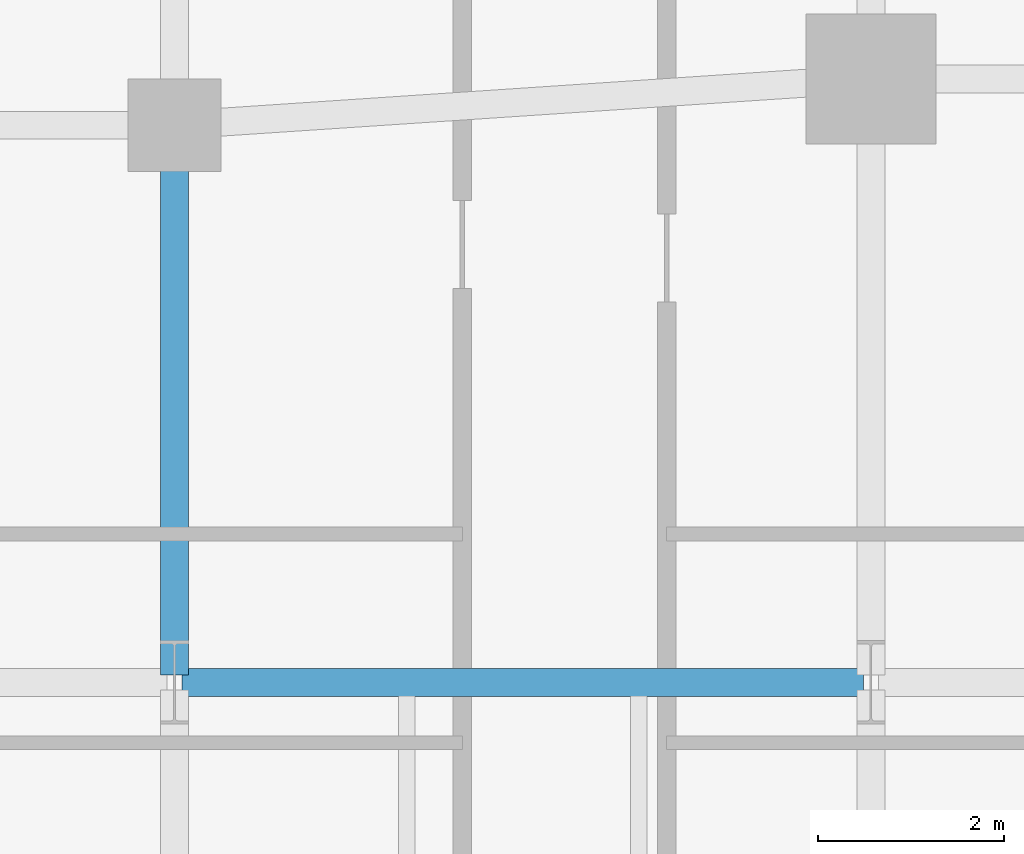
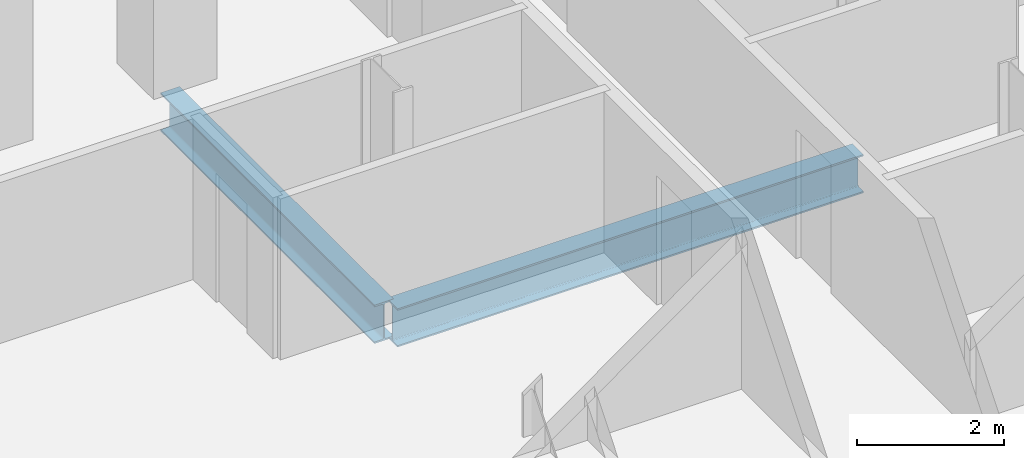
# One storey, part 9 of 32: 2 beams.
"""IFC4 building model written with IfcOpenShell, lengths in metres."""

from ifc_helpers import new_model, si_unit, direction, frame, origin, origin_2d, place, context, subcontext, project, spatial, i_section, extrude, material, material_profile, profile_set, type_object, element, save


model = new_model("IFC4")

# Units and contexts
model_context = context("Model", 3, precision=1e-05, world=origin(), true_north=direction((0.0, 1.0)))
body_context = subcontext(model_context, "Body", "Model", "MODEL_VIEW")
ifc_project = project(units=[si_unit("LENGTHUNIT", "METRE"), si_unit("AREAUNIT", "SQUARE_METRE"), si_unit("VOLUMEUNIT", "CUBIC_METRE"), si_unit("PLANEANGLEUNIT", "RADIAN"), si_unit("MASSUNIT", "GRAM", prefix="KILO")], contexts=[model_context])

# Site, building, storey
site_placement = place(None, origin())
site = spatial("IfcSite", under=ifc_project, at=site_placement, CompositionType="ELEMENT")
building_placement = place(site_placement, origin())
building = spatial("IfcBuilding", under=site, at=building_placement, Name="Catumbela Crestline Tower", CompositionType="ELEMENT")
storey_placement = place(building_placement, frame((0.0, 0.0, 29.4)))
storey = spatial("IfcBuildingStorey", under=building, at=storey_placement, Name="L06", CompositionType="ELEMENT", Elevation=29.4)

# Beams
ifc_material = material(Name="Structural steel S355J2", Category="steel")
ifc_material_profile = material_profile(ifc_material, i_section(OverallWidth=0.3, OverallDepth=0.64, WebThickness=0.0135, FlangeThickness=0.026, FilletRadius=0.027, at=origin_2d()), Name="HEA 650")
ifc_profile_set = profile_set([ifc_material_profile], Name="Structural steel S355J2")
beam_type = type_object("IfcBeamType", Name="BG-HEA650", PredefinedType="BEAM", material=ifc_profile_set)
beam_1_placement = place(storey_placement, frame((8.58, 18.0, -0.58), z_axis=(1.0, 0.0, 0.0), x_axis=(0.0, 1.0, 0.0)))
element("IfcBeam", 1, at=beam_1_placement, inside=storey, type_object=beam_type, Name="L06 Beam BM-L06-WEW55", PredefinedType="BEAM", context=body_context, shape_type="SweptSolid", body=[
    extrude(i_section(OverallWidth=0.3, OverallDepth=0.64, WebThickness=0.0135, FlangeThickness=0.026, FilletRadius=0.027, at=origin_2d()), origin(), (0.0, 0.0, 1.0), 7.34),
])
beam_2_placement = place(storey_placement, frame((8.5, 18.08, -0.58), z_axis=(0.0, 1.0, 0.0), x_axis=(-1.0, 0.0, 0.0)))
element("IfcBeam", 2, at=beam_2_placement, inside=storey, type_object=beam_type, Name="L06 Beam BM-L06-WNS63", PredefinedType="BEAM", context=body_context, shape_type="SweptSolid", body=[
    extrude(i_section(OverallWidth=0.3, OverallDepth=0.64, WebThickness=0.0135, FlangeThickness=0.026, FilletRadius=0.027, at=origin_2d()), origin(), (0.0, 0.0, 1.0), 5.84),
])

save(model, "model.ifc")
